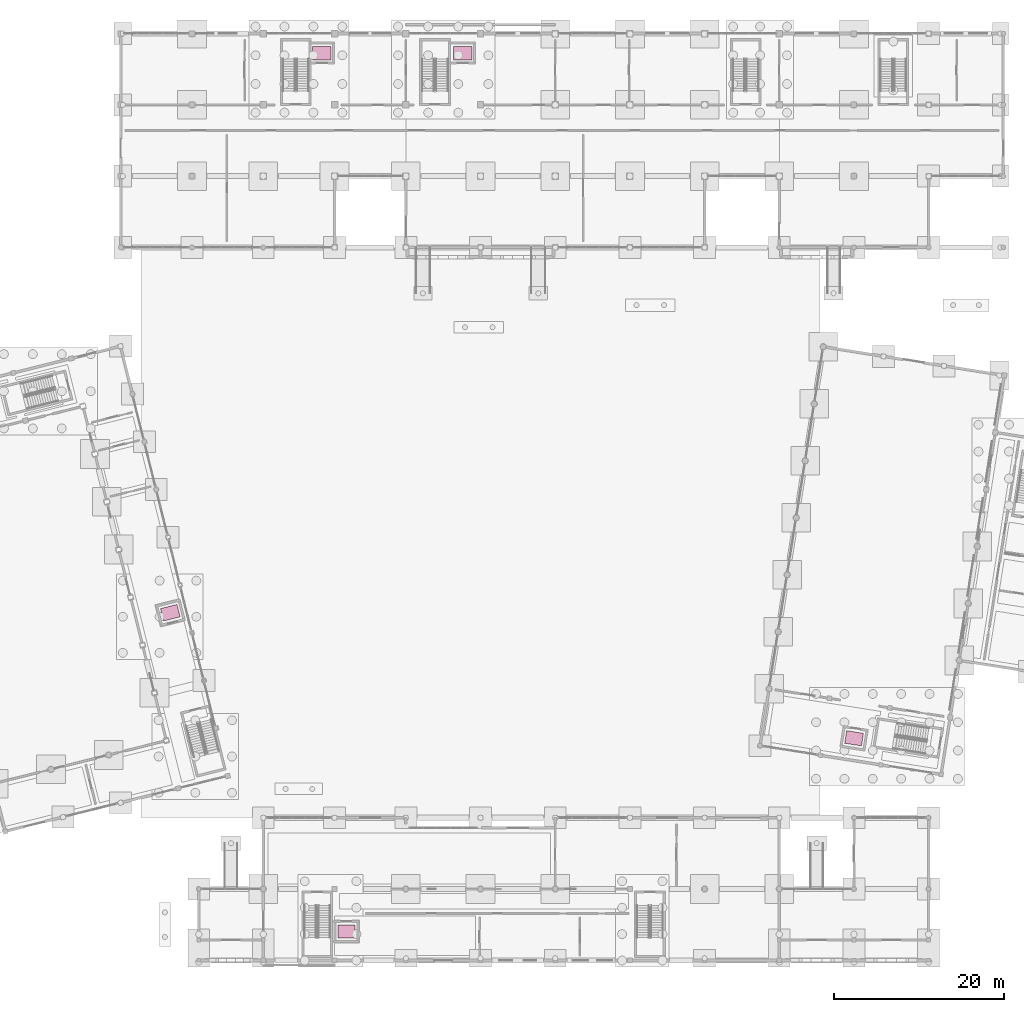
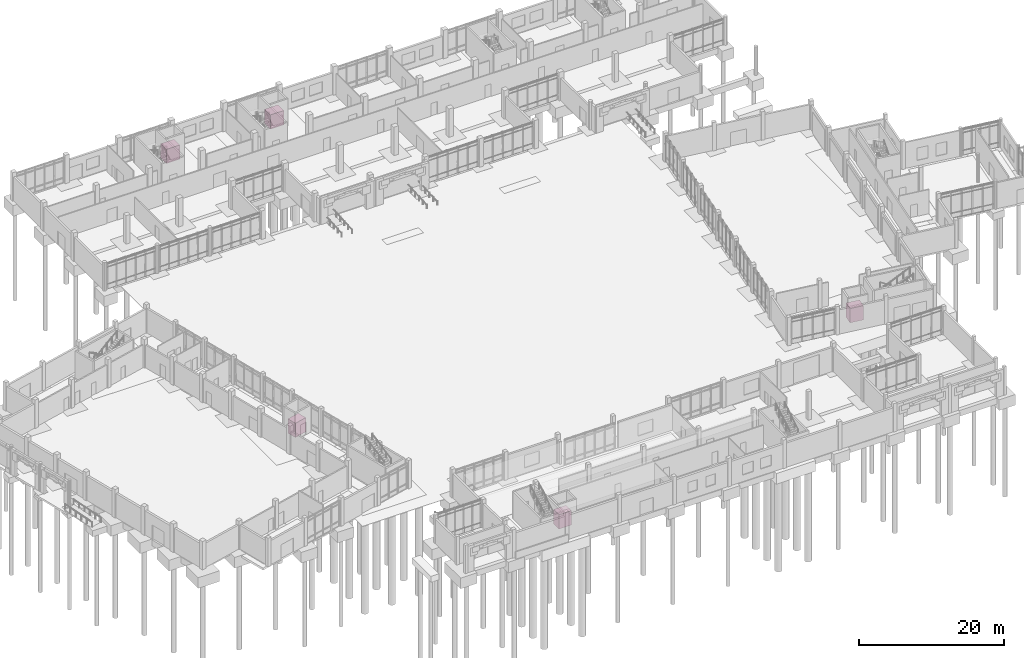
# One storey, part 72 of 72: 5 transport elements.
"""IFC4 building model written with IfcOpenShell, lengths in metres."""

from ifc_helpers import new_model, si_unit, direction, frame, origin, origin_2d, place, context, subcontext, project, spatial, rectangle, extrude, material, type_object, element, save


model = new_model("IFC4")

# Units and contexts
model_context = context("Model", 3, precision=1e-05, world=origin(), true_north=direction((0.0, 1.0)))
body_context = subcontext(model_context, "Body", "Model", "MODEL_VIEW")
ifc_project = project(units=[si_unit("LENGTHUNIT", "METRE"), si_unit("AREAUNIT", "SQUARE_METRE"), si_unit("VOLUMEUNIT", "CUBIC_METRE"), si_unit("PLANEANGLEUNIT", "RADIAN"), si_unit("MASSUNIT", "GRAM", prefix="KILO")], contexts=[model_context])

# Site, building, storey
site_placement = place(None, origin())
site = spatial("IfcSite", under=ifc_project, at=site_placement, CompositionType="ELEMENT")
building_placement = place(site_placement, origin())
building = spatial("IfcBuilding", under=site, at=building_placement, Name="Cinderway Yard Community Centre", CompositionType="ELEMENT")
storey_placement = place(building_placement, origin())
storey = spatial("IfcBuildingStorey", under=building, at=storey_placement, Name="L00", CompositionType="ELEMENT", Elevation=0.0)

# Transport elements
ifc_material = material(Name="Painted Galvanised Steel", Category="steel")
transport_element_type_1 = type_object("IfcTransportElementType", Name="INT-LFT-FF1800", PredefinedType="ELEVATOR", material=ifc_material)
for number, where, z_axis, x_axis, name in (
    (1, (65.300048828125, 112.89990234375, 0.0), (0.0, 0.0, 1.0), (1.0, 0.0, 0.0), "Firefighting Lift LF-01"),
    (2, (81.89990234375, 112.89990234375, 0.0), (0.0, 0.0, 1.0), (1.0, 0.0, 0.0), "Firefighting Lift LF-02"),
):
    element("IfcTransportElement", number, at=place(storey_placement, frame(where, z_axis=z_axis, x_axis=x_axis)), inside=storey, type_object=transport_element_type_1, Name=name, PredefinedType="ELEVATOR", context=body_context, shape_type="SweptSolid", body=[
        extrude(rectangle(XDim=2.14990234375, YDim=1.60009765625, at=origin_2d()), origin(), (0.0, 0.0, 1.0), 2.39990234375),
    ])
transport_element_type_2 = type_object("IfcTransportElementType", Name="INT-LFT-PS1600", PredefinedType="ELEVATOR", material=ifc_material)
for number, where, z_axis, x_axis, name in (
    (3, (47.447998046875, 46.951904296875, 0.0), (0.0, 0.0, 1.0), (0.970295726276, 0.2419218956, 0.0), "Passenger Lift LF-03"),
    (4, (128.010009765625, 32.162109375, 0.0), (0.0, 0.0, 1.0), (0.987688340595, -0.15643446504, 0.0), "Passenger Lift LF-04"),
    (5, (68.199951171875, 9.39990234375, 0.0), (0.0, 0.0, 1.0), (1.0, 0.0, 0.0), "Passenger Lift LF-05"),
):
    element("IfcTransportElement", number, at=place(storey_placement, frame(where, z_axis=z_axis, x_axis=x_axis)), inside=storey, type_object=transport_element_type_2, Name=name, PredefinedType="ELEVATOR", context=body_context, shape_type="SweptSolid", body=[
        extrude(rectangle(XDim=2.0, YDim=1.5, at=origin_2d()), origin(), (0.0, 0.0, 1.0), 2.39990234375),
    ])

save(model, "model.ifc")
